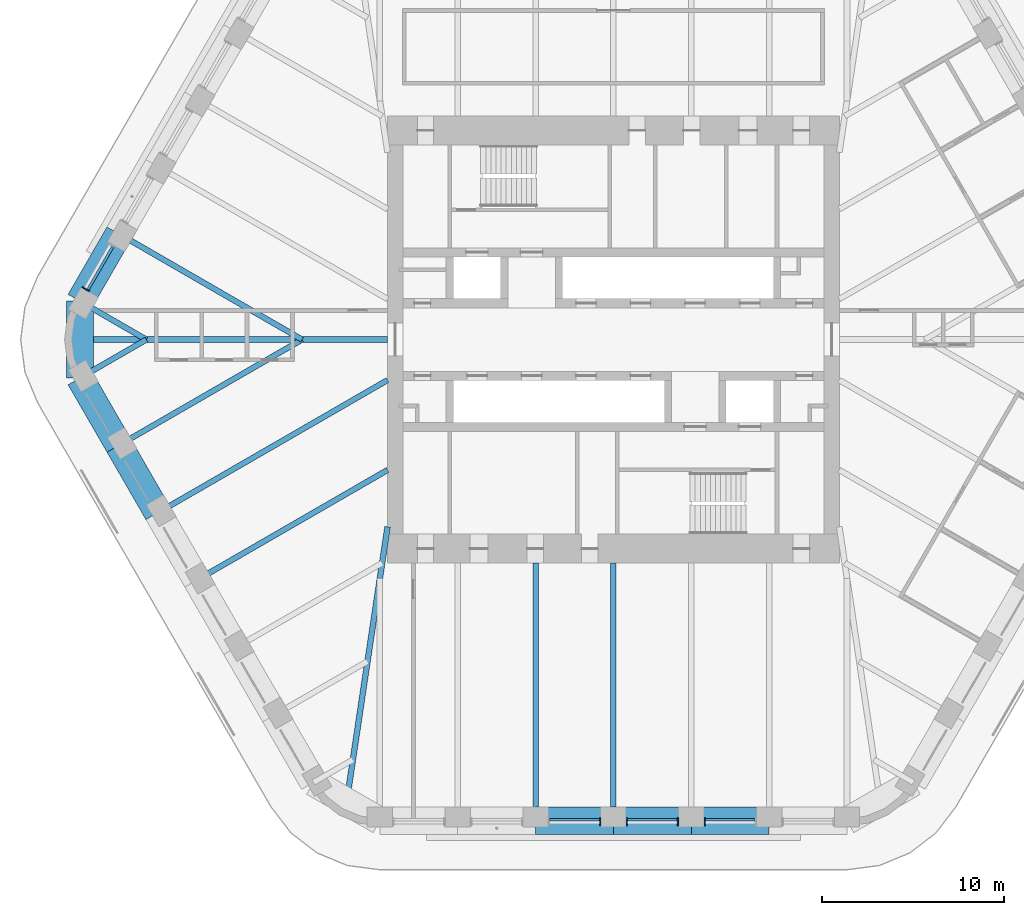
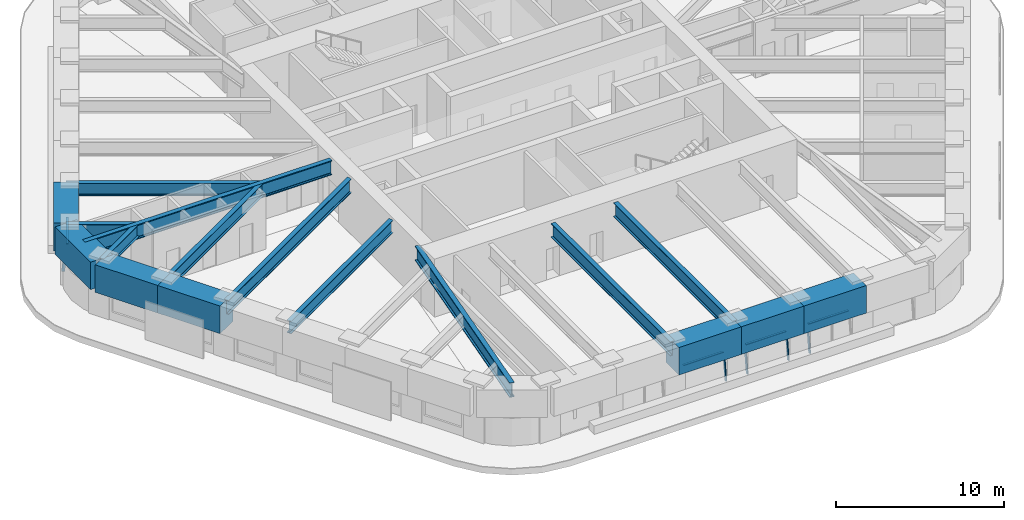
# One storey, part 3 of 18: 17 beams, 9 members, 4 elements without a shape of their own.
"""IFC4 building model written with IfcOpenShell, lengths in metres."""

from ifc_helpers import new_model, si_unit, direction, frame, origin, origin_2d, place, context, subcontext, project, spatial, rectangle, i_section, extrude, material, material_profile, profile_set, type_object, element, aggregate, save


model = new_model("IFC4")

# Units and contexts
model_context = context("Model", 3, precision=1e-05, world=origin(), true_north=direction((0.0, 1.0)))
body_context = subcontext(model_context, "Body", "Model", "MODEL_VIEW")
ifc_project = project(units=[si_unit("LENGTHUNIT", "METRE"), si_unit("AREAUNIT", "SQUARE_METRE"), si_unit("VOLUMEUNIT", "CUBIC_METRE"), si_unit("PLANEANGLEUNIT", "RADIAN"), si_unit("MASSUNIT", "GRAM", prefix="KILO")], contexts=[model_context])

# Site, building, storey
site_placement = place(None, origin())
site = spatial("IfcSite", under=ifc_project, at=site_placement, CompositionType="ELEMENT")
building_placement = place(site_placement, origin())
building = spatial("IfcBuilding", under=site, at=building_placement, Name="Tarfa Lantern Tower", CompositionType="ELEMENT")
storey_placement = place(building_placement, frame((0.0, 0.0, 315.699951171875)))
storey = spatial("IfcBuildingStorey", under=building, at=storey_placement, Name="L71", CompositionType="ELEMENT", Elevation=315.699951171875)

# Curtain wall, member
ifc_material_1 = material(Name="Aluminium framed curtain wall", Category="aluminium")
curtain_wall_type = type_object("IfcCurtainWallType", Name="CW4 CANTED GLAZING EXECUTIVE ZONE 2000", PredefinedType="USERDEFINED", material=ifc_material_1)
curtain_wall_1_placement = place(storey_placement, origin())
curtain_wall_1 = element("IfcCurtainWall", 1, at=curtain_wall_1_placement, inside=storey, type_object=curtain_wall_type, Name="CW4 NW L71", ObjectType="CURTAIN WALL", PredefinedType="USERDEFINED")
ifc_material_2 = material(Name="Aluminium mullion", Category="aluminium")
ifc_material_profile_1 = material_profile(ifc_material_2, rectangle(XDim=0.06494140625, YDim=0.199951171875, at=origin_2d()), Name="AL MULLION 65x200")
ifc_profile_set_1 = profile_set([ifc_material_profile_1], Name="Aluminium mullion")
member_type_1 = type_object("IfcMemberType", Name="CWM1 MULLION 65x200", PredefinedType="MULLION", material=ifc_profile_set_1)
member_1_placement = place(storey_placement, frame((-29.13623046875, 2.83447265625, 0.0), z_axis=(0.107320246625, -0.062018020623, 0.992288329964), x_axis=(0.500342721131, 0.865827443207, 0.0)))
member_1 = element("IfcMember", 2, at=member_1_placement, type_object=member_type_1, Name="CW4 mullion 2", PredefinedType="MULLION", context=body_context, shape_type="SweptSolid", body=[
    extrude(rectangle(XDim=0.06494140625, YDim=0.199951171875, at=origin_2d()), origin(), (0.0, 0.0, 1.0), 2.015625),
])

curtain_wall_2_placement = place(storey_placement, origin())
curtain_wall_2 = element("IfcCurtainWall", 3, at=curtain_wall_2_placement, inside=storey, type_object=curtain_wall_type, Name="CW4 S L71", ObjectType="CURTAIN WALL", PredefinedType="USERDEFINED")
member_2_placement = place(storey_placement, frame((-0.732421875, -26.64990234375, 0.0), z_axis=(0.0, 0.124034734589, 0.992277876714), x_axis=(-1.0, 0.0, 0.0)))
member_2 = element("IfcMember", 4, at=member_2_placement, type_object=member_type_1, Name="CW4 mullion 2", PredefinedType="MULLION", context=body_context, shape_type="SweptSolid", body=[
    extrude(rectangle(XDim=0.06494140625, YDim=0.199951171875, at=origin_2d()), origin(), (0.0, 0.0, 1.0), 2.015625),
])

# Curtain wall, members
curtain_wall_3_placement = place(storey_placement, origin())
curtain_wall_3 = element("IfcCurtainWall", 5, at=curtain_wall_3_placement, inside=storey, type_object=curtain_wall_type, Name="CW4 S L71", ObjectType="CURTAIN WALL", PredefinedType="USERDEFINED")
member_3_placement = place(storey_placement, frame((0.732421875, -26.64990234375, 0.0), z_axis=(0.0, 0.124034734589, 0.992277876714), x_axis=(-1.0, 0.0, 0.0)))
member_3 = element("IfcMember", 6, at=member_3_placement, type_object=member_type_1, Name="CW4 mullion 1", PredefinedType="MULLION", context=body_context, shape_type="SweptSolid", body=[
    extrude(rectangle(XDim=0.06494140625, YDim=0.199951171875, at=origin_2d()), origin(), (0.0, 0.0, 1.0), 2.015625),
])
member_4_placement = place(storey_placement, frame((3.549560546875, -26.64990234375, 0.0), z_axis=(0.0, 0.124034734589, 0.992277876714), x_axis=(-1.0, 0.0, 0.0)))
member_4 = element("IfcMember", 7, at=member_4_placement, type_object=member_type_1, Name="CW4 mullion 2", PredefinedType="MULLION", context=body_context, shape_type="SweptSolid", body=[
    extrude(rectangle(XDim=0.06494140625, YDim=0.199951171875, at=origin_2d()), origin(), (0.0, 0.0, 1.0), 2.015625),
])

# Curtain wall, member
curtain_wall_4_placement = place(storey_placement, origin())
curtain_wall_4 = element("IfcCurtainWall", 8, at=curtain_wall_4_placement, inside=storey, type_object=curtain_wall_type, Name="CW4 S L71", ObjectType="CURTAIN WALL", PredefinedType="USERDEFINED")
member_5_placement = place(storey_placement, frame((5.014404296875, -26.64990234375, 0.0), z_axis=(0.0, 0.124034734589, 0.992277876714), x_axis=(-1.0, 0.0, 0.0)))
member_5 = element("IfcMember", 9, at=member_5_placement, type_object=member_type_1, Name="CW4 mullion 1", PredefinedType="MULLION", context=body_context, shape_type="SweptSolid", body=[
    extrude(rectangle(XDim=0.06494140625, YDim=0.199951171875, at=origin_2d()), origin(), (0.0, 0.0, 1.0), 2.015625),
])

# Member
ifc_material_3 = material(Name="Aluminium transom", Category="aluminium")
ifc_material_profile_2 = material_profile(ifc_material_3, rectangle(XDim=0.14990234375, YDim=0.06494140625, at=origin_2d()), Name="AL TRANSOM 150x65")
ifc_profile_set_2 = profile_set([ifc_material_profile_2], Name="Aluminium transom")
member_type_2 = type_object("IfcMemberType", Name="CWT1 TRANSOM 150x65", PredefinedType="USERDEFINED", material=ifc_profile_set_2)
member_6_placement = place(storey_placement, frame((-27.531005859375, 5.122802734375, 1.967529296875), z_axis=(-0.500060322201, -0.865990573944, 0.0), x_axis=(0.865990573944, -0.500060322201, 0.0)))
member_6 = element("IfcMember", 10, at=member_6_placement, type_object=member_type_2, Name="CW4 transom 1.2", ObjectType="TRANSOM", PredefinedType="USERDEFINED", context=body_context, shape_type="SweptSolid", body=[
    extrude(rectangle(XDim=0.14990234375, YDim=0.06494140625, at=origin_2d()), origin(), (0.0, 0.0, 1.0), 2.752197265625),
])

aggregate(curtain_wall_1, [member_1, member_6])

member_7_placement = place(storey_placement, frame((-3.51708984375, -26.404052734375, 1.967529296875), z_axis=(1.0, 0.0, 0.0), x_axis=(0.0, 1.0, 0.0)))
member_7 = element("IfcMember", 11, at=member_7_placement, type_object=member_type_2, Name="CW4 transom 1.2", ObjectType="TRANSOM", PredefinedType="USERDEFINED", context=body_context, shape_type="SweptSolid", body=[
    extrude(rectangle(XDim=0.14990234375, YDim=0.06494140625, at=origin_2d()), origin(), (0.0, 0.0, 1.0), 2.752197265625),
])

aggregate(curtain_wall_2, [member_2, member_7])

member_8_placement = place(storey_placement, frame((0.764892578125, -26.404052734375, 1.967529296875), z_axis=(1.0, 0.0, 0.0), x_axis=(0.0, 1.0, 0.0)))
member_8 = element("IfcMember", 12, at=member_8_placement, type_object=member_type_2, Name="CW4 transom 1.2", ObjectType="TRANSOM", PredefinedType="USERDEFINED", context=body_context, shape_type="SweptSolid", body=[
    extrude(rectangle(XDim=0.14990234375, YDim=0.06494140625, at=origin_2d()), origin(), (0.0, 0.0, 1.0), 2.752197265625),
])

aggregate(curtain_wall_3, [member_3, member_4, member_8])

member_9_placement = place(storey_placement, frame((5.047119140625, -26.404052734375, 1.967529296875), z_axis=(1.0, 0.0, 0.0), x_axis=(0.0, 1.0, 0.0)))
member_9 = element("IfcMember", 13, at=member_9_placement, type_object=member_type_2, Name="CW4 transom 1.2", ObjectType="TRANSOM", PredefinedType="USERDEFINED", context=body_context, shape_type="SweptSolid", body=[
    extrude(rectangle(XDim=0.14990234375, YDim=0.06494140625, at=origin_2d()), origin(), (0.0, 0.0, 1.0), 2.751953125),
])

aggregate(curtain_wall_4, [member_5, member_9])

# Beams
ifc_material_4 = material(Name="Concrete C80/95", Category="concrete")
ifc_material_profile_3 = material_profile(ifc_material_4, rectangle(XDim=1.5, YDim=2.0, at=origin_2d()), Name="RC 1500x2000")
ifc_profile_set_3 = profile_set([ifc_material_profile_3], Name="Concrete C80/95")
beam_type_1 = type_object("IfcBeamType", Name="RB3 RC 1500x2000", PredefinedType="BEAM", material=ifc_profile_set_3)
beam_1_placement = place(storey_placement, frame((-27.205810546875, 5.818359375, 3.0), z_axis=(-0.499984039138, -0.866034618596, 0.0), x_axis=(0.866034618596, -0.499984039138, 0.0)))
element("IfcBeam", 14, at=beam_1_placement, inside=storey, type_object=beam_type_1, Name="Edge beam NW5", PredefinedType="BEAM", context=body_context, shape_type="SweptSolid", body=[
    extrude(rectangle(XDim=1.5, YDim=2.0, at=origin_2d()), origin(), (0.0, 0.0, 1.0), 4.281982421875),
])
beam_2_placement = place(storey_placement, frame((-29.3466796875, 2.110107421875, 3.0), z_axis=(0.0, -1.0, 0.0), x_axis=(1.0, 0.0, 0.0)))
element("IfcBeam", 15, at=beam_2_placement, inside=storey, type_object=beam_type_1, Name="Edge beam NW6", PredefinedType="BEAM", context=body_context, shape_type="SweptSolid", body=[
    extrude(rectangle(XDim=1.5, YDim=2.0, at=origin_2d()), origin(), (0.0, 0.0, 1.0), 4.22021484375),
])
for number, where, z_axis, x_axis, name in (
    (16, (-29.3466796875, -2.110107421875, 3.0), (0.499984039138, -0.866034618596, 0.0), (0.866034618596, 0.499984039138, 0.0), "Edge beam SW0"),
    (17, (-27.205810546875, -5.818359375, 3.0), (0.500026801138, -0.866009929587, 0.0), (0.866009929587, 0.500026801138, 0.0), "Edge beam SW1"),
    (18, (-4.281982421875, -26.469970703125, 3.0), (1.0, 0.0, 0.0), (0.0, 1.0, 0.0), "Edge beam S2"),
    (19, (0.0, -26.469970703125, 3.0), (1.0, 0.0, 0.0), (0.0, 1.0, 0.0), "Edge beam S3"),
    (20, (4.281982421875, -26.469970703125, 3.0), (1.0, 0.0, 0.0), (0.0, 1.0, 0.0), "Edge beam S4"),
):
    element("IfcBeam", number, at=place(storey_placement, frame(where, z_axis=z_axis, x_axis=x_axis)), inside=storey, type_object=beam_type_1, Name=name, PredefinedType="BEAM", context=body_context, shape_type="SweptSolid", body=[
        extrude(rectangle(XDim=1.5, YDim=2.0, at=origin_2d()), origin(), (0.0, 0.0, 1.0), 4.281982421875),
    ])
ifc_material_5 = material(Name="Steel S460M", Category="steel")
ifc_material_profile_4 = material_profile(ifc_material_5, i_section(OverallWidth=0.302001953125, OverallDepth=1.008056640625, WebThickness=0.02099609375, FlangeThickness=0.0400390625, FilletRadius=0.030029296875, at=origin_2d()), Name="UB1016x305x349")
ifc_profile_set_4 = profile_set([ifc_material_profile_4], Name="Steel S460M")
beam_type_2 = type_object("IfcBeamType", Name="UB1016x305x349", PredefinedType="BEAM", material=ifc_profile_set_4)
beam_3_placement = place(storey_placement, frame((-25.064697265625, -9.526611328125, 3.49609375), z_axis=(0.866029591389, 0.499992746786, 0.0), x_axis=(-0.499992746786, 0.866029591389, 0.0)))
element("IfcBeam", 21, at=beam_3_placement, inside=storey, type_object=beam_type_2, Name="Floor beam SW2", PredefinedType="BEAM", context=body_context, shape_type="SweptSolid", body=[
    extrude(i_section(OverallWidth=0.302001953125, OverallDepth=1.008056640625, WebThickness=0.02099609375, FlangeThickness=0.0400390625, FilletRadius=0.030029296875, at=origin_2d()), origin(), (0.0, 0.0, 1.0), 14.594970703125),
])
for number, where, z_axis, x_axis, name in (
    (22, (-4.281982421875, -26.469970703125, 3.49609375), (0.0, 1.0, 0.0), (-1.0, 0.0, 0.0), "Floor beam S2"),
    (23, (0.0, -26.469970703125, 3.49609375), (0.0, 1.0, 0.0), (-1.0, 0.0, 0.0), "Floor beam S3"),
):
    element("IfcBeam", number, at=place(storey_placement, frame(where, z_axis=z_axis, x_axis=x_axis)), inside=storey, type_object=beam_type_2, Name=name, PredefinedType="BEAM", context=body_context, shape_type="SweptSolid", body=[
        extrude(i_section(OverallWidth=0.302001953125, OverallDepth=1.008056640625, WebThickness=0.02099609375, FlangeThickness=0.0400390625, FilletRadius=0.030029296875, at=origin_2d()), origin(), (0.0, 0.0, 1.0), 14.169921875),
    ])
ifc_material_profile_5 = material_profile(ifc_material_5, i_section(OverallWidth=0.314208984375, OverallDepth=1.055908203125, WebThickness=0.035888671875, FlangeThickness=0.06396484375, FilletRadius=0.030029296875, at=origin_2d()), Name="UB1016x305x584")
ifc_profile_set_5 = profile_set([ifc_material_profile_5], Name="Steel S460M")
beam_type_3 = type_object("IfcBeamType", Name="UB1016x305x584", PredefinedType="BEAM", material=ifc_profile_set_5)
beam_4_placement = place(storey_placement, frame((-12.425048828125, 0.0, 3.47216796875), z_axis=(-1.0, 0.0, 0.0), x_axis=(0.0, -1.0, 0.0)))
element("IfcBeam", 24, at=beam_4_placement, inside=storey, type_object=beam_type_3, Name="Hip girder W", PredefinedType="BEAM", context=body_context, shape_type="SweptSolid", body=[
    extrude(i_section(OverallWidth=0.314208984375, OverallDepth=1.055908203125, WebThickness=0.035888671875, FlangeThickness=0.06396484375, FilletRadius=0.030029296875, at=origin_2d()), origin(), (0.0, 0.0, 1.0), 16.921630859375),
])
beam_5_placement = place(storey_placement, frame((-12.425048828125, -10.300048828125, 3.47216796875), z_axis=(-0.147127069073, -0.989117599452, 0.0), x_axis=(0.989117599452, -0.147127069073, 0.0)))
element("IfcBeam", 25, at=beam_5_placement, inside=storey, type_object=beam_type_3, Name="Hip girder SW", PredefinedType="BEAM", context=body_context, shape_type="SweptSolid", body=[
    extrude(i_section(OverallWidth=0.314208984375, OverallDepth=1.055908203125, WebThickness=0.035888671875, FlangeThickness=0.06396484375, FilletRadius=0.030029296875, at=origin_2d()), origin(), (0.0, 0.0, 1.0), 15.28125),
])
ifc_material_profile_6 = material_profile(ifc_material_5, i_section(OverallWidth=0.305419921875, OverallDepth=0.91845703125, WebThickness=0.017333984375, FlangeThickness=0.02783203125, FilletRadius=0.01904296875, at=origin_2d()), Name="UB914x305x253")
ifc_profile_set_6 = profile_set([ifc_material_profile_6], Name="Steel S460M")
beam_type_4 = type_object("IfcBeamType", Name="UB914x305x253", PredefinedType="BEAM", material=ifc_profile_set_6)
beam_6_placement = place(storey_placement, frame((-27.205810546875, 5.818359375, 3.540771484375), z_axis=(0.866024171998, -0.500002133511, 0.0), x_axis=(0.500002133511, 0.866024171998, 0.0)))
element("IfcBeam", 26, at=beam_6_placement, inside=storey, type_object=beam_type_4, Name="Floor beam NW5", PredefinedType="BEAM", context=body_context, shape_type="SweptSolid", body=[
    extrude(i_section(OverallWidth=0.305419921875, OverallDepth=0.91845703125, WebThickness=0.017333984375, FlangeThickness=0.02783203125, FilletRadius=0.01904296875, at=origin_2d()), origin(), (0.0, 0.0, 1.0), 11.63671875),
])
for number, where, z_axis, x_axis, name in (
    (27, (-29.3466796875, 2.110107421875, 3.540771484375), (0.866009274789, -0.500027935199, 0.0), (0.500027935199, 0.866009274789, 0.0), "Floor beam NW6"),
    (28, (-29.3466796875, -2.110107421875, 3.540771484375), (0.866009274789, 0.500027935199, 0.0), (-0.500027935199, 0.866009274789, 0.0), "Floor beam SW0"),
):
    element("IfcBeam", number, at=place(storey_placement, frame(where, z_axis=z_axis, x_axis=x_axis)), inside=storey, type_object=beam_type_4, Name=name, PredefinedType="BEAM", context=body_context, shape_type="SweptSolid", body=[
        extrude(i_section(OverallWidth=0.305419921875, OverallDepth=0.91845703125, WebThickness=0.017333984375, FlangeThickness=0.02783203125, FilletRadius=0.01904296875, at=origin_2d()), origin(), (0.0, 0.0, 1.0), 4.219970703125),
    ])
beam_7_placement = place(storey_placement, frame((-27.205810546875, -5.818359375, 3.540771484375), z_axis=(0.866024171998, 0.500002133511, 0.0), x_axis=(-0.500002133511, 0.866024171998, 0.0)))
element("IfcBeam", 29, at=beam_7_placement, inside=storey, type_object=beam_type_4, Name="Floor beam SW1", PredefinedType="BEAM", context=body_context, shape_type="SweptSolid", body=[
    extrude(i_section(OverallWidth=0.305419921875, OverallDepth=0.91845703125, WebThickness=0.017333984375, FlangeThickness=0.02783203125, FilletRadius=0.01904296875, at=origin_2d()), origin(), (0.0, 0.0, 1.0), 11.63671875),
])
beam_8_placement = place(storey_placement, frame((-22.923583984375, -13.235107421875, 3.540771484375), z_axis=(0.86601856927, 0.500011837539, 0.0), x_axis=(-0.500011837539, 0.86601856927, 0.0)))
element("IfcBeam", 30, at=beam_8_placement, inside=storey, type_object=beam_type_4, Name="Floor beam SW3", PredefinedType="BEAM", context=body_context, shape_type="SweptSolid", body=[
    extrude(i_section(OverallWidth=0.305419921875, OverallDepth=0.91845703125, WebThickness=0.017333984375, FlangeThickness=0.02783203125, FilletRadius=0.01904296875, at=origin_2d()), origin(), (0.0, 0.0, 1.0), 12.122802734375),
])

save(model, "model.ifc")
